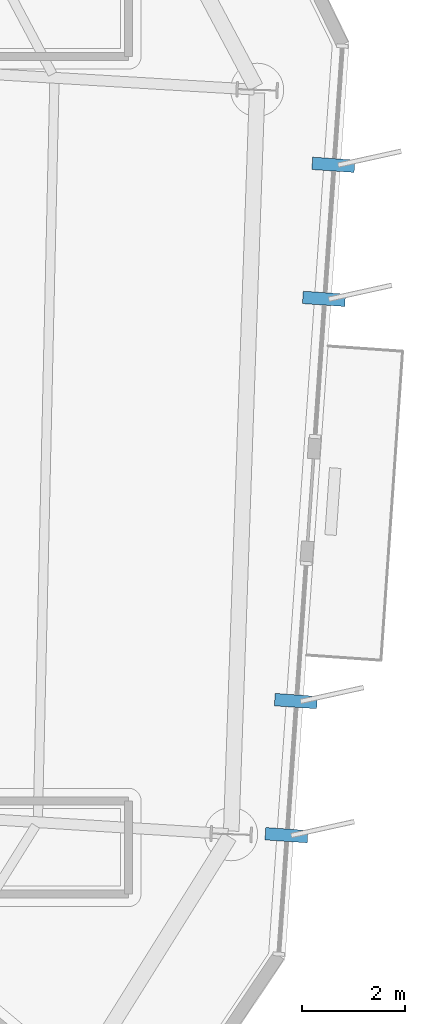
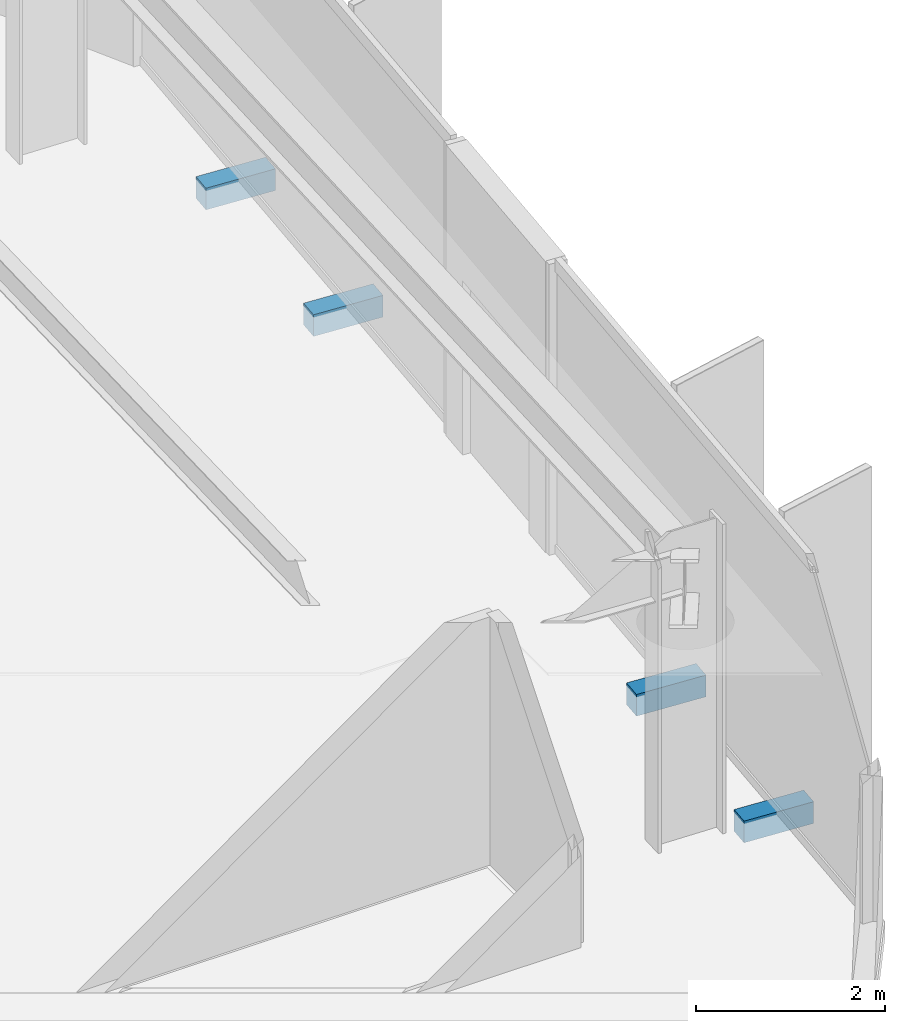
# One storey, part 9 of 14: 4 discrete accessories.
"""IFC4 building model written with IfcOpenShell, lengths in metres."""

from ifc_helpers import new_model, si_unit, direction, frame, origin, origin_2d, place, context, subcontext, project, spatial, rectangle, extrude, material, type_object, element, save


model = new_model("IFC4")

# Units and contexts
model_context = context("Model", 3, precision=1e-05, world=origin(), true_north=direction((0.0, 1.0)))
body_context = subcontext(model_context, "Body", "Model", "MODEL_VIEW")
ifc_project = project(units=[si_unit("LENGTHUNIT", "METRE"), si_unit("AREAUNIT", "SQUARE_METRE"), si_unit("VOLUMEUNIT", "CUBIC_METRE"), si_unit("PLANEANGLEUNIT", "RADIAN"), si_unit("MASSUNIT", "GRAM", prefix="KILO")], contexts=[model_context])

# Site, building, storey
site_placement = place(None, origin())
site = spatial("IfcSite", under=ifc_project, at=site_placement, CompositionType="ELEMENT")
building_placement = place(site_placement, origin())
building = spatial("IfcBuilding", under=site, at=building_placement, Name="Kranzbogen Civic Tower", CompositionType="ELEMENT")
storey_placement = place(building_placement, frame((0.0, 0.0, 126.39990234375)))
storey = spatial("IfcBuildingStorey", under=building, at=storey_placement, Name="L30", CompositionType="ELEMENT", Elevation=126.39990234375)

# Discrete accessories
ifc_material = material(Name="Steel S355", Category="steel")
discrete_accessory_type = type_object("IfcDiscreteAccessoryType", Name="Structural Curtain-Wall Fin Support Bracket", PredefinedType="BRACKET", material=ifc_material)
for number, where, z_axis, x_axis, name in (
    (1, (44.258056640625, 17.136962890625, -0.25), (0.0, 0.0, 1.0), (0.99756405026, -0.069756473744, 0.0), "L30 facade fin support bracket F6-1"),
    (2, (44.43994140625, 19.73095703125, -0.25), (0.0, 0.0, 1.0), (0.99756405026, -0.069756473744, 0.0), "L30 facade fin support bracket F6-2"),
    (3, (44.98388671875, 27.511962890625, -0.25), (0.0, 0.0, 1.0), (0.99756405026, -0.069756473744, 0.0), "L30 facade fin support bracket F6-5"),
    (4, (45.1650390625, 30.10498046875, -0.25), (0.0, 0.0, 1.0), (0.99756405026, -0.069756473744, 0.0), "L30 facade fin support bracket F6-6"),
):
    element("IfcDiscreteAccessory", number, at=place(storey_placement, frame(where, z_axis=z_axis, x_axis=x_axis)), inside=storey, type_object=discrete_accessory_type, Name=name, PredefinedType="BRACKET", context=body_context, shape_type="SweptSolid", body=[
        extrude(rectangle(XDim=0.820068359375, YDim=0.239990234375, at=origin_2d()), origin(), (0.0, 0.0, 1.0), 0.280029296875),
    ])

save(model, "model.ifc")
